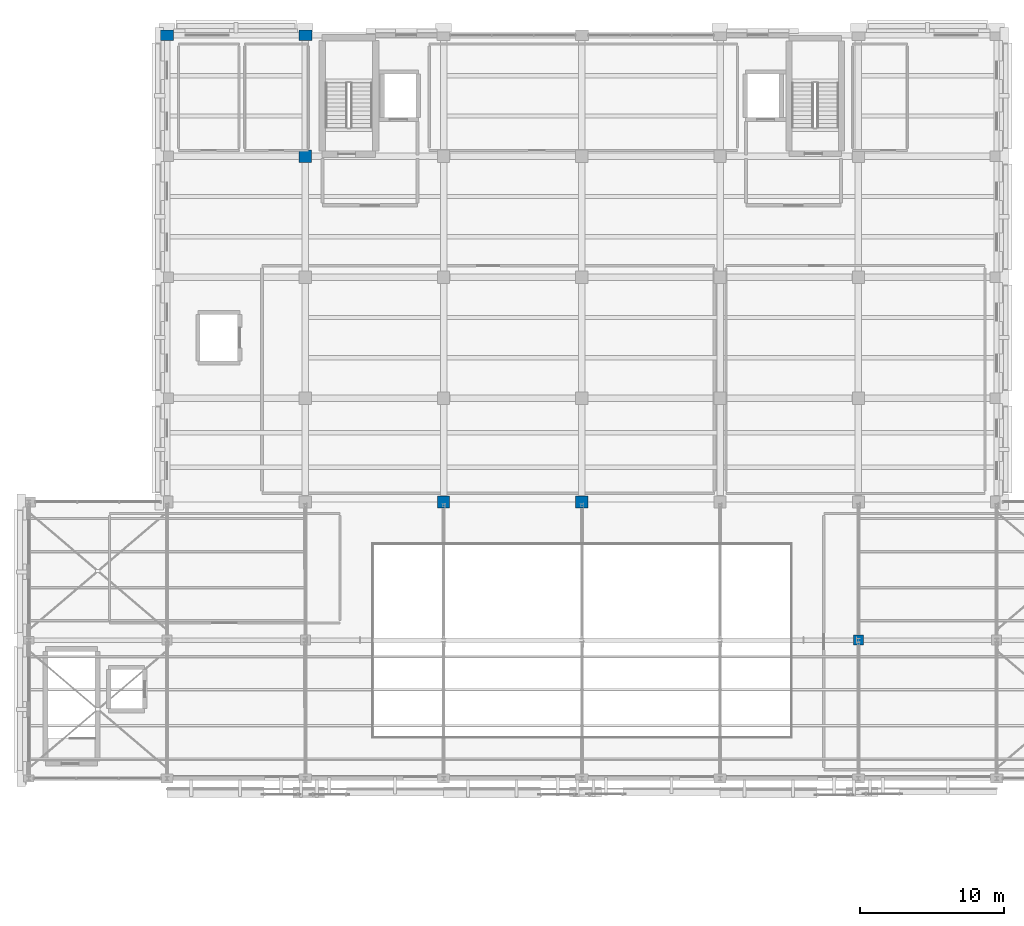
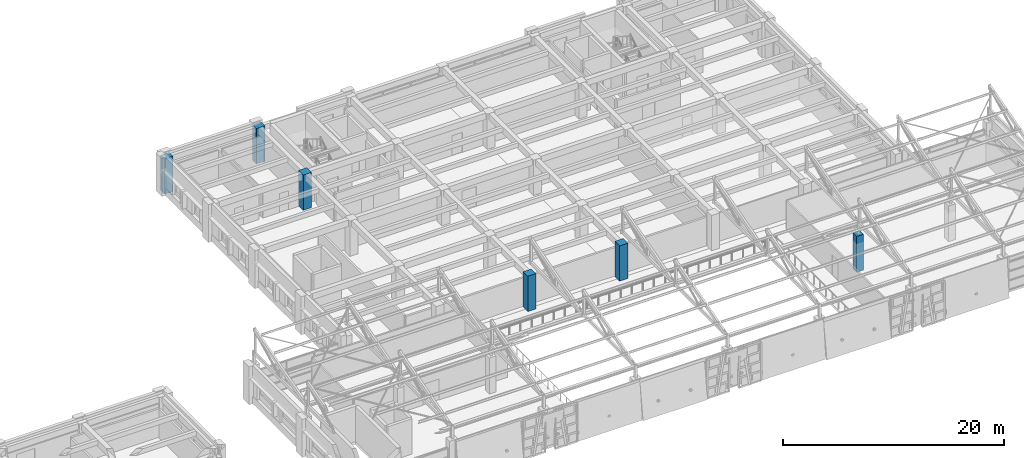
# One storey, part 7 of 58: 6 columns.
"""IFC4 building model written with IfcOpenShell, lengths in metres."""

from ifc_helpers import new_model, si_unit, direction, frame, origin, origin_2d, place, context, subcontext, project, spatial, rectangle, extrude, material, material_profile, profile_set, type_object, element, save


model = new_model("IFC4")

# Units and contexts
model_context = context("Model", 3, precision=1e-05, world=origin(), true_north=direction((0.0, 1.0)))
body_context = subcontext(model_context, "Body", "Model", "MODEL_VIEW")
ifc_project = project(units=[si_unit("LENGTHUNIT", "METRE"), si_unit("AREAUNIT", "SQUARE_METRE"), si_unit("VOLUMEUNIT", "CUBIC_METRE"), si_unit("PLANEANGLEUNIT", "RADIAN"), si_unit("MASSUNIT", "GRAM", prefix="KILO")], contexts=[model_context])

# Site, building, storey
site_placement = place(None, origin())
site = spatial("IfcSite", under=ifc_project, at=site_placement, CompositionType="ELEMENT")
building_placement = place(site_placement, origin())
building = spatial("IfcBuilding", under=site, at=building_placement, Name="Bempovik Park Faculty of Sciences", CompositionType="ELEMENT")
storey_placement = place(building_placement, frame((0.0, 0.0, 18.300048828125)))
storey = spatial("IfcBuildingStorey", under=building, at=storey_placement, Name="L04", CompositionType="ELEMENT", Elevation=18.300048828125)

# Columns
ifc_material = material(Name="Concrete C40/50", Category="concrete")
ifc_material_profile_1 = material_profile(ifc_material, rectangle(XDim=0.89990234375, YDim=0.699951171875, at=origin_2d()), Name="RC 900x700")
ifc_profile_set_1 = profile_set([ifc_material_profile_1], Name="Concrete C40/50")
column_type_1 = type_object("IfcColumnType", Name="C-25 RC 900x700", PredefinedType="COLUMN", material=ifc_profile_set_1)
for number, where, z_axis, x_axis, name in (
    (1, (60.0, 119.39990234375, 0.0), (0.0, 0.0, 1.0), (1.0, 0.0, 0.0), "L04 Structural Column (60.0,119.4)"),
    (2, (69.60009765625, 119.39990234375, 0.0), (0.0, 0.0, 1.0), (1.0, 0.0, 0.0), "L04 Structural Column (69.6,119.4)"),
):
    element("IfcColumn", number, at=place(storey_placement, frame(where, z_axis=z_axis, x_axis=x_axis)), inside=storey, type_object=column_type_1, Name=name, PredefinedType="COLUMN", context=body_context, shape_type="SweptSolid", body=[
        extrude(rectangle(XDim=0.89990234375, YDim=0.699951171875, at=origin_2d()), origin(), (0.0, 0.0, 1.0), 3.89990234375),
    ])
ifc_material_profile_2 = material_profile(ifc_material, rectangle(XDim=0.699951171875, YDim=0.699951171875, at=origin_2d()), Name="RC 700x700")
ifc_profile_set_2 = profile_set([ifc_material_profile_2], Name="Concrete C40/50")
column_type_2 = type_object("IfcColumnType", Name="C-34 RC 700x700", PredefinedType="COLUMN", material=ifc_profile_set_2)
column_placement = place(storey_placement, frame((108.0, 77.39990234375, 0.0), z_axis=(0.0, 0.0, 1.0), x_axis=(1.0, 0.0, 0.0)))
element("IfcColumn", 3, at=column_placement, inside=storey, type_object=column_type_2, Name="L04 Structural Column (108.0,77.4)", PredefinedType="COLUMN", context=body_context, shape_type="SweptSolid", body=[
    extrude(rectangle(XDim=0.699951171875, YDim=0.699951171875, at=origin_2d()), origin(), (0.0, 0.0, 1.0), 3.97998046875),
])
ifc_material_profile_3 = material_profile(ifc_material, rectangle(XDim=0.85009765625, YDim=0.85009765625, at=origin_2d()), Name="RC 850x850")
ifc_profile_set_3 = profile_set([ifc_material_profile_3], Name="Concrete C40/50")
column_type_3 = type_object("IfcColumnType", Name="C-36 RC 850x850", PredefinedType="COLUMN", material=ifc_profile_set_3)
for number, where, z_axis, x_axis, name in (
    (4, (69.60009765625, 111.0, 0.0), (0.0, 0.0, 1.0), (1.0, 0.0, 0.0), "L04 Structural Column (69.6,111.0)"),
    (5, (79.199951171875, 87.0, 0.0), (0.0, 0.0, 1.0), (1.0, 0.0, 0.0), "L04 Structural Column (79.2,87.0)"),
    (6, (88.800048828125, 87.0, 0.0), (0.0, 0.0, 1.0), (1.0, 0.0, 0.0), "L04 Structural Column (88.8,87.0)"),
):
    element("IfcColumn", number, at=place(storey_placement, frame(where, z_axis=z_axis, x_axis=x_axis)), inside=storey, type_object=column_type_3, Name=name, PredefinedType="COLUMN", context=body_context, shape_type="SweptSolid", body=[
        extrude(rectangle(XDim=0.85009765625, YDim=0.85009765625, at=origin_2d()), origin(), (0.0, 0.0, 1.0), 3.89990234375),
    ])

save(model, "model.ifc")
